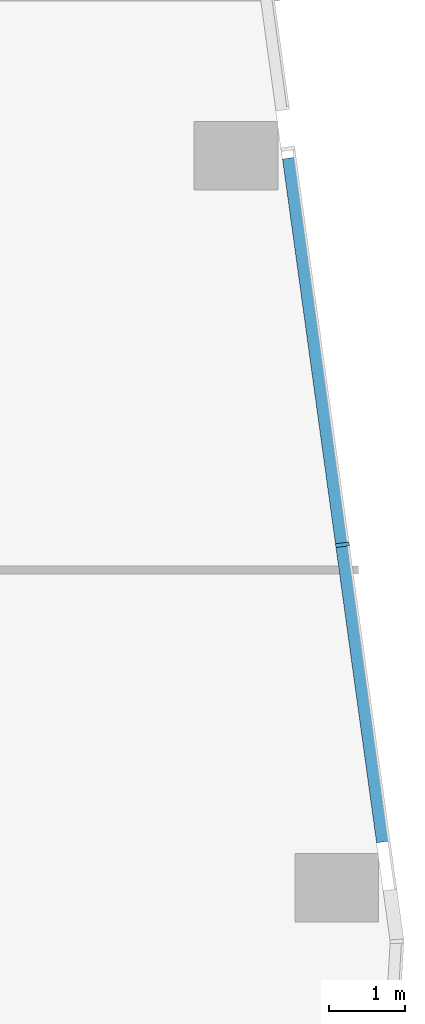
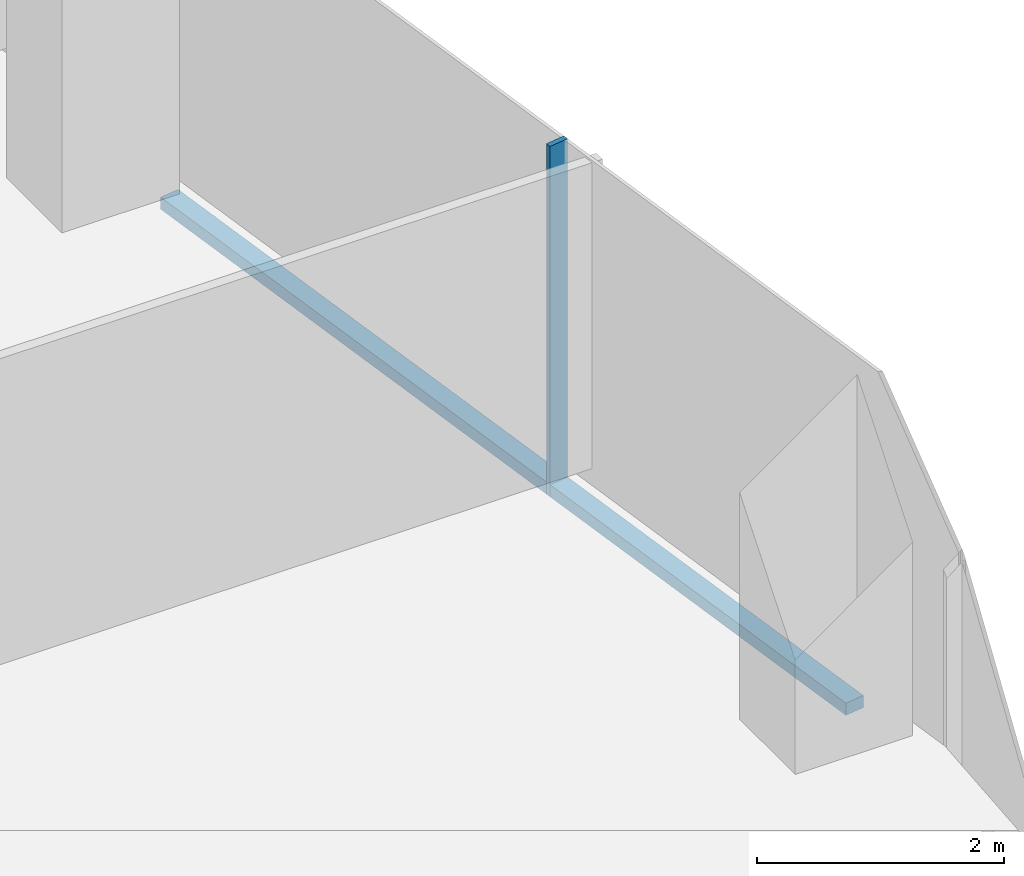
# One storey, part 8 of 27: 2 members, 1 element without a shape of its own.
"""IFC4 building model written with IfcOpenShell, lengths in metres."""

from ifc_helpers import new_model, si_unit, direction, frame, origin, origin_2d, place, context, subcontext, project, spatial, rectangle, extrude, material, material_profile, profile_set, type_object, element, aggregate, save


model = new_model("IFC4")

# Units and contexts
model_context = context("Model", 3, precision=1e-05, world=origin(), true_north=direction((0.0, 1.0)))
body_context = subcontext(model_context, "Body", "Model", "MODEL_VIEW")
ifc_project = project(units=[si_unit("LENGTHUNIT", "METRE"), si_unit("AREAUNIT", "SQUARE_METRE"), si_unit("VOLUMEUNIT", "CUBIC_METRE"), si_unit("PLANEANGLEUNIT", "RADIAN"), si_unit("MASSUNIT", "GRAM", prefix="KILO")], contexts=[model_context])

# Site, building, storey
site_placement = place(None, origin())
site = spatial("IfcSite", under=ifc_project, at=site_placement, CompositionType="ELEMENT")
building_placement = place(site_placement, origin())
building = spatial("IfcBuilding", under=site, at=building_placement, Name="Orlundy Tower", CompositionType="ELEMENT")
storey_placement = place(building_placement, frame((0.0, 0.0, 202.60009765625)))
storey = spatial("IfcBuildingStorey", under=building, at=storey_placement, Name="L53", CompositionType="ELEMENT", Elevation=202.60009765625)

# Curtain wall, members
ifc_material_1 = material(Name="Aluminium bronze anodised", Category="aluminium")
curtain_wall_type = type_object("IfcCurtainWallType", Name="CW1 wall", PredefinedType="NOTDEFINED", material=ifc_material_1)
curtain_wall_placement = place(storey_placement, origin())
curtain_wall = element("IfcCurtainWall", 1, at=curtain_wall_placement, inside=storey, type_object=curtain_wall_type, Name="CW1 run 011", PredefinedType="NOTDEFINED")
ifc_material_2 = material(Name="Aluminium bronze anodised", Category="aluminium")
ifc_material_profile_1 = material_profile(ifc_material_2, rectangle(XDim=0.179931640625, YDim=0.050048828125, at=origin_2d()), Name="CW1 mullion 50x180")
ifc_profile_set_1 = profile_set([ifc_material_profile_1], Name="Aluminium bronze anodised")
member_type_1 = type_object("IfcMemberType", Name="CW1 mullion 50x180", PredefinedType="MULLION", material=ifc_profile_set_1)
member_1_placement = place(storey_placement, frame((40.9267578125, 0.331298828125, -0.420166015625), z_axis=(0.0, 0.0, 1.0), x_axis=(0.990669519619, 0.13628610677, 0.0)))
member_1 = element("IfcMember", 2, at=member_1_placement, type_object=member_type_1, Name="CW1 mullion 35", PredefinedType="MULLION", context=body_context, shape_type="SweptSolid", body=[
    extrude(rectangle(XDim=0.179931640625, YDim=0.050048828125, at=origin_2d()), origin(), (0.0, 0.0, 1.0), 3.469970703125),
])
ifc_material_3 = material(Name="Aluminium bronze anodised", Category="aluminium")
ifc_material_profile_2 = material_profile(ifc_material_3, rectangle(XDim=0.179931640625, YDim=0.1201171875, at=origin_2d()), Name="CW1 transom 180x120")
ifc_profile_set_2 = profile_set([ifc_material_profile_2], Name="Aluminium bronze anodised")
member_type_2 = type_object("IfcMemberType", Name="CW1 transom 180x120", PredefinedType="USERDEFINED", material=ifc_profile_set_2)
member_2_placement = place(storey_placement, frame((40.22802734375, 5.409912109375, -0.360107421875), z_axis=(0.136269219908, -0.990671842593, 0.0), x_axis=(0.990671842593, 0.136269219908, 0.0)))
member_2 = element("IfcMember", 3, at=member_2_placement, type_object=member_type_2, Name="CW1 transom", ObjectType="TRANSOM", PredefinedType="USERDEFINED", context=body_context, shape_type="SweptSolid", body=[
    extrude(rectangle(XDim=0.179931640625, YDim=0.1201171875, at=origin_2d()), origin(), (0.0, 0.0, 1.0), 9.0654296875),
])
aggregate(curtain_wall, [member_1, member_2])

save(model, "model.ifc")
